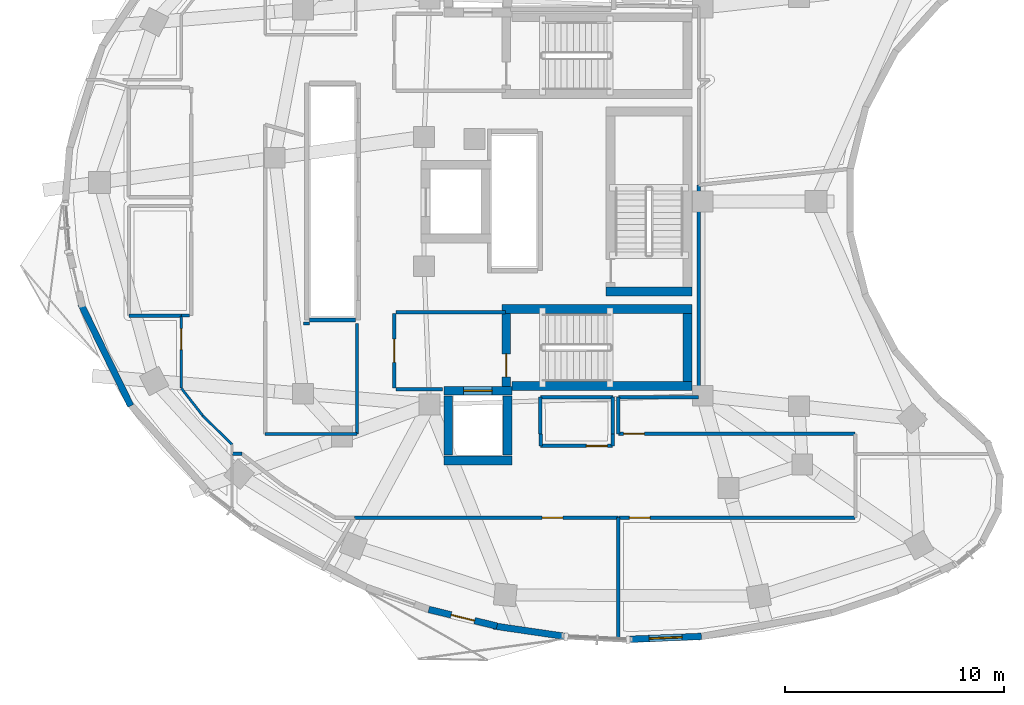
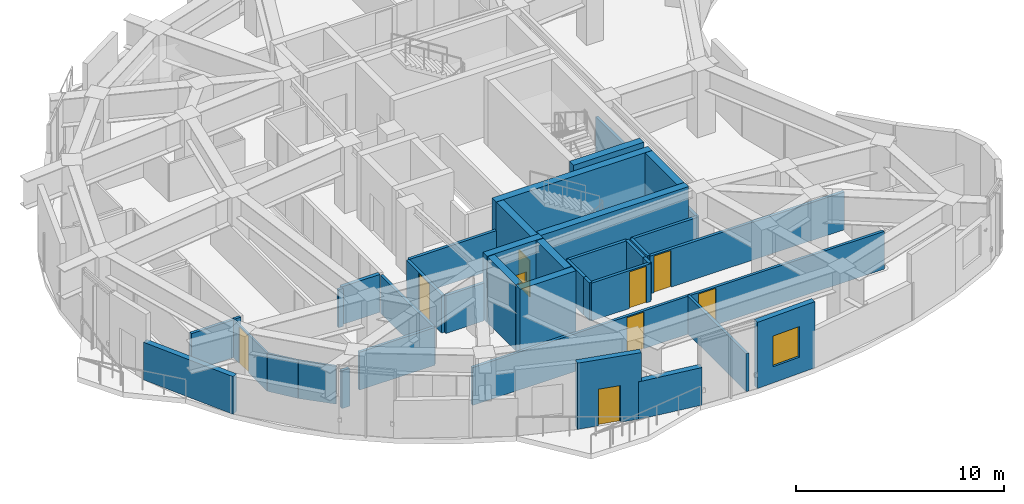
# One storey, part 7 of 13: 39 walls, 9 doors, 1 window, 10 openings.
"""IFC4 building model written with IfcOpenShell, lengths in metres."""

from ifc_helpers import new_model, si_unit, direction, frame, frame_2d, origin, place, context, subcontext, project, spatial, rectangle, extrude, material, layer, layer_set, type_object, element, fill, save


model = new_model("IFC4")

# Units and contexts
model_context = context("Model", 3, precision=1e-05, world=origin(), true_north=direction((0.0, 1.0)))
body_context = subcontext(model_context, "Body", "Model", "MODEL_VIEW")
ifc_project = project(units=[si_unit("LENGTHUNIT", "METRE"), si_unit("AREAUNIT", "SQUARE_METRE"), si_unit("VOLUMEUNIT", "CUBIC_METRE"), si_unit("PLANEANGLEUNIT", "RADIAN"), si_unit("MASSUNIT", "GRAM", prefix="KILO")], contexts=[model_context])

# Site, building, storey
site_placement = place(None, origin())
site = spatial("IfcSite", under=ifc_project, at=site_placement, CompositionType="ELEMENT")
building_placement = place(site_placement, origin())
building = spatial("IfcBuilding", under=site, at=building_placement, Name="Korentha Bioscience Tower", CompositionType="ELEMENT")
storey_placement = place(building_placement, frame((0.0, 0.0, 208.800048828125)))
storey = spatial("IfcBuildingStorey", under=building, at=storey_placement, Name="L48", CompositionType="ELEMENT", Elevation=208.800048828125)

# Wall, opening, door
ifc_material_1 = material(Name="Double-Stud Acoustic Gypsum", Category="gypsum")
ifc_layer_1 = layer(ifc_material_1, 0.14990234375, Name="Double-Stud Acoustic Gypsum")
ifc_layer_set_1 = layer_set([ifc_layer_1], Name="Double-Stud Acoustic Gypsum (IW-L150)")
wall_type_1 = type_object("IfcWallType", Name="Acoustic Laboratory Partition Wall 150", PredefinedType="PARTITIONING", material=ifc_layer_set_1)
wall_1_placement = place(storey_placement, frame((21.678955078125, 12.590087890625, 0.0), z_axis=(0.0, 0.0, 1.0), x_axis=(1.0, 0.0, 0.0)))
wall_1 = element("IfcWall", 1, at=wall_1_placement, inside=storey, type_object=wall_type_1, Name="L48 Biomechanical Motion Analysis Lab 04 Entrance Wall", PredefinedType="PARTITIONING", context=body_context, shape_type="SweptSolid", body=[
    extrude(rectangle(XDim=12.01904296875, YDim=0.14990234375, at=frame_2d((6.009521484375, 0.0))), origin(), (0.0, 0.0, 1.0), 2.219970703125),
])
opening_1_placement = place(wall_1_placement, frame((8.552001953125, 0.0, 0.0)))
opening_1 = element("IfcOpeningElement", 2, at=opening_1_placement, cuts=wall_1, Name="Opening ID-10R", PredefinedType="OPENING", context=body_context, shape_type="SweptSolid", body=[
    extrude(rectangle(XDim=0.949951171875, YDim=2.14990234375, at=frame_2d((0.47509765625, 1.074951171875))), frame((0.0, 0.08984375, 0.0), z_axis=(0.0, -1.0, 0.0), x_axis=(1.0, 0.0, 0.0)), (0.0, 0.0, 1.0), 0.1796875),
])
ifc_material_2 = material(Name="Phenolic Laminate Timber Core", Category="wood")
door_type_1 = type_object("IfcDoorType", Name="Laboratory Single Leaf Door 950x2150 Right", OperationType="SINGLE_SWING_RIGHT", PredefinedType="DOOR", material=ifc_material_2)
door_1_placement = place(opening_1_placement, origin())
door_1 = element("IfcDoor", 3, at=door_1_placement, inside=storey, type_object=door_type_1, Name="L48 Biomechanical Motion Analysis Lab 04 Door", OperationType="SINGLE_SWING_RIGHT", OverallHeight=2.14990234375, OverallWidth=0.949951171875, PredefinedType="DOOR", context=body_context, shape_type="SweptSolid", body=[
    extrude(rectangle(XDim=0.949951171875, YDim=2.14990234375, at=frame_2d((0.47509765625, 1.074951171875))), frame((0.0, 0.02490234375, 0.0), z_axis=(0.0, -1.0, 0.0), x_axis=(1.0, 0.0, 0.0)), (0.0, 0.0, 1.0), 0.050048828125),
])
fill(opening_1, door_1)

wall_2_placement = place(storey_placement, frame((33.7080078125, 12.590087890625, 0.0), z_axis=(0.0, 0.0, 1.0), x_axis=(1.0, 0.0, 0.0)))
wall_2 = element("IfcWall", 4, at=wall_2_placement, inside=storey, type_object=wall_type_1, Name="L48 Peptide Synthesis Wet Lab 05 Entrance Wall", PredefinedType="PARTITIONING", context=body_context, shape_type="SweptSolid", body=[
    extrude(rectangle(XDim=10.7919921875, YDim=0.14990234375, at=frame_2d((5.39599609375, 0.0))), origin(), (0.0, 0.0, 1.0), 2.219970703125),
])
opening_2_placement = place(wall_2_placement, frame((0.49951171875, 0.0, 0.0)))
opening_2 = element("IfcOpeningElement", 5, at=opening_2_placement, cuts=wall_2, Name="Opening ID-10L", PredefinedType="OPENING", context=body_context, shape_type="SweptSolid", body=[
    extrude(rectangle(XDim=0.949951171875, YDim=2.14990234375, at=frame_2d((0.47509765625, 1.074951171875))), frame((0.0, 0.08984375, 0.0), z_axis=(0.0, -1.0, 0.0), x_axis=(1.0, 0.0, 0.0)), (0.0, 0.0, 1.0), 0.1796875),
])
door_type_2 = type_object("IfcDoorType", Name="Laboratory Single Leaf Door 950x2150 Left", OperationType="SINGLE_SWING_LEFT", PredefinedType="DOOR", material=ifc_material_2)
door_2_placement = place(opening_2_placement, origin())
door_2 = element("IfcDoor", 6, at=door_2_placement, inside=storey, type_object=door_type_2, Name="L48 Peptide Synthesis Wet Lab 05 Door", OperationType="SINGLE_SWING_LEFT", OverallHeight=2.14990234375, OverallWidth=0.949951171875, PredefinedType="DOOR", context=body_context, shape_type="SweptSolid", body=[
    extrude(rectangle(XDim=0.949951171875, YDim=2.14990234375, at=frame_2d((0.47509765625, 1.074951171875))), frame((0.0, 0.02490234375, 0.0), z_axis=(0.0, -1.0, 0.0), x_axis=(1.0, 0.0, 0.0)), (0.0, 0.0, 1.0), 0.050048828125),
])
fill(opening_2, door_2)

# Walls
wall_3_placement = place(storey_placement, frame((14.162109375, 21.81005859375, 0.0), z_axis=(0.0, 0.0, 1.0), x_axis=(-1.0, 0.0, 0.0)))
element("IfcWall", 7, at=wall_3_placement, inside=storey, type_object=wall_type_1, Name="L48 Interior Partition 021", PredefinedType="PARTITIONING", context=body_context, shape_type="SweptSolid", body=[
    extrude(rectangle(XDim=0.362060546875, YDim=0.14990234375, at=frame_2d((0.18115234375, 0.0))), origin(), (0.0, 0.0, 1.0), 2.219970703125),
])
wall_4_placement = place(storey_placement, frame((13.7900390625, 21.800048828125, 0.0), z_axis=(0.0, 0.0, 1.0), x_axis=(-1.0, 0.0, 0.0)))
element("IfcWall", 8, at=wall_4_placement, inside=storey, type_object=wall_type_1, Name="L48 Interior Partition 022", PredefinedType="PARTITIONING", context=body_context, shape_type="SweptSolid", body=[
    extrude(rectangle(XDim=2.39013671875, YDim=0.14990234375, at=frame_2d((1.195068359375, 0.0))), origin(), (0.0, 0.0, 1.0), 2.219970703125),
])
wall_5_placement = place(storey_placement, frame((19.35009765625, 21.43994140625, 0.0), z_axis=(0.0, 0.0, 1.0), x_axis=(1.0, 0.0, 0.0)))
element("IfcWall", 9, at=wall_5_placement, inside=storey, type_object=wall_type_1, Name="L48 Interior Partition 036", PredefinedType="PARTITIONING", context=body_context, shape_type="SweptSolid", body=[
    extrude(rectangle(XDim=0.27001953125, YDim=0.14990234375, at=frame_2d((0.135009765625, 0.0))), origin(), (0.0, 0.0, 1.0), 2.219970703125),
])
wall_6_placement = place(storey_placement, frame((21.7900390625, 21.43994140625, 0.0), z_axis=(0.0, 0.0, 1.0), x_axis=(0.0, -1.0, 0.0)))
element("IfcWall", 10, at=wall_6_placement, inside=storey, type_object=wall_type_1, Name="L48 Interior Partition 037", PredefinedType="PARTITIONING", context=body_context, shape_type="SweptSolid", body=[
    extrude(rectangle(XDim=5.030029296875, YDim=0.14990234375, at=frame_2d((2.51513671875, 0.0))), origin(), (0.0, 0.0, 1.0), 2.219970703125),
])
wall_7_placement = place(storey_placement, frame((21.7900390625, 16.409912109375, 0.0), z_axis=(0.0, 0.0, 1.0), x_axis=(-1.0, 0.0, 0.0)))
element("IfcWall", 11, at=wall_7_placement, inside=storey, type_object=wall_type_1, Name="L48 Interior Partition 038", PredefinedType="PARTITIONING", context=body_context, shape_type="SweptSolid", body=[
    extrude(rectangle(XDim=4.179931640625, YDim=0.14990234375, at=frame_2d((2.08984375, 0.0))), origin(), (0.0, 0.0, 1.0), 2.219970703125),
])
wall_8_placement = place(storey_placement, frame((33.697998046875, 12.590087890625, 0.0), z_axis=(0.0, 0.0, 1.0), x_axis=(0.0, -1.0, 0.0)))
element("IfcWall", 12, at=wall_8_placement, inside=storey, type_object=wall_type_1, Name="L48 Interior Partition 044", PredefinedType="PARTITIONING", context=body_context, shape_type="SweptSolid", body=[
    extrude(rectangle(XDim=5.64501953125, YDim=0.14990234375, at=frame_2d((2.822509765625, 0.0))), origin(), (0.0, 0.0, 1.0), 2.219970703125),
])

# Wall, opening, door
ifc_material_3 = material(Name="Fire-Rated Framed Glass", Category="glass")
ifc_layer_2 = layer(ifc_material_3, 0.110107421875, Name="Fire-Rated Framed Glass")
ifc_layer_set_2 = layer_set([ifc_layer_2], Name="Fire-Rated Framed Glass (IW-G110)")
wall_type_2 = type_object("IfcWallType", Name="Demountable Glazed Office Partition 110", PredefinedType="MOVABLE", material=ifc_layer_set_2)
wall_9_placement = place(storey_placement, frame((13.7900390625, 21.7900390625, 0.0), z_axis=(0.0, 0.0, 1.0), x_axis=(0.0, -1.0, 0.0)))
wall_9 = element("IfcWall", 13, at=wall_9_placement, inside=storey, type_object=wall_type_2, Name="L48 Research Colloquium Seminar Room 01 Entrance Wall", PredefinedType="MOVABLE", context=body_context, shape_type="SweptSolid", body=[
    extrude(rectangle(XDim=3.2978515625, YDim=0.110107421875, at=frame_2d((1.64892578125, 0.0))), origin(), (0.0, 0.0, 1.0), 2.219970703125),
])
opening_3_placement = place(wall_9_placement, frame((0.583984375, 0.0, 0.0)))
opening_3 = element("IfcOpeningElement", 14, at=opening_3_placement, cuts=wall_9, Name="Opening ID-10L", PredefinedType="OPENING", context=body_context, shape_type="SweptSolid", body=[
    extrude(rectangle(XDim=0.949951171875, YDim=2.14990234375, at=frame_2d((0.47509765625, 1.074951171875))), frame((0.0, 0.06982421875, 0.0), z_axis=(0.0, -1.0, 0.0), x_axis=(1.0, 0.0, 0.0)), (0.0, 0.0, 1.0), 0.139892578125),
])
door_3_placement = place(opening_3_placement, origin())
door_3 = element("IfcDoor", 15, at=door_3_placement, inside=storey, type_object=door_type_2, Name="L48 Research Colloquium Seminar Room 01 Door", OperationType="SINGLE_SWING_LEFT", OverallHeight=2.14990234375, OverallWidth=0.949951171875, PredefinedType="DOOR", context=body_context, shape_type="SweptSolid", body=[
    extrude(rectangle(XDim=0.949951171875, YDim=2.14990234375, at=frame_2d((0.47509765625, 1.074951171875))), frame((0.0, 0.02490234375, 0.0), z_axis=(0.0, -1.0, 0.0), x_axis=(1.0, 0.0, 0.0)), (0.0, 0.0, 1.0), 0.050048828125),
])
fill(opening_3, door_3)

# Walls
wall_10_placement = place(storey_placement, frame((13.7919921875, 18.486083984375, 0.0), z_axis=(0.0, 0.0, 1.0), x_axis=(0.615625972761, -0.788038489962, 0.0)))
element("IfcWall", 16, at=wall_10_placement, inside=storey, type_object=wall_type_2, Name="L48 Interior Partition 032", PredefinedType="MOVABLE", context=body_context, shape_type="SweptSolid", body=[
    extrude(rectangle(XDim=1.5732421875, YDim=0.110107421875, at=frame_2d((0.78662109375, 0.0))), origin(), (0.0, 0.0, 1.0), 2.219970703125),
])
wall_11_placement = place(storey_placement, frame((14.76123046875, 17.245361328125, 0.0), z_axis=(0.0, 0.0, 1.0), x_axis=(0.711186701462, -0.703003183253, 0.0)))
element("IfcWall", 17, at=wall_11_placement, inside=storey, type_object=wall_type_2, Name="L48 Interior Partition 033", PredefinedType="MOVABLE", context=body_context, shape_type="SweptSolid", body=[
    extrude(rectangle(XDim=1.87939453125, YDim=0.110107421875, at=frame_2d((0.939697265625, 0.0))), origin(), (0.0, 0.0, 1.0), 2.219970703125),
])

# Wall, opening, door
ifc_material_4 = material(Name="Gypsum-Clad Steel Stud", Category="steel")
ifc_layer_3 = layer(ifc_material_4, 0.159912109375, Name="Gypsum-Clad Steel Stud")
ifc_layer_set_3 = layer_set([ifc_layer_3], Name="Gypsum-Clad Steel Stud (IW-C160)")
wall_type_3 = type_object("IfcWallType", Name="Fire-Rated Corridor Partition Wall 160", PredefinedType="PARTITIONING", material=ifc_layer_set_3)
wall_12_placement = place(storey_placement, frame((23.5, 18.5, 0.0), z_axis=(0.0, 0.0, 1.0), x_axis=(0.0, 1.0, 0.0)))
wall_12 = element("IfcWall", 18, at=wall_12_placement, inside=storey, type_object=wall_type_3, Name="L48 FFLS-CW Rated Enclosure Wall", PredefinedType="PARTITIONING", context=body_context, shape_type="SweptSolid", body=[
    extrude(rectangle(XDim=3.39990234375, YDim=0.159912109375, at=frame_2d((1.699951171875, 0.0))), origin(), (0.0, 0.0, 1.0), 2.219970703125),
])
opening_4_placement = place(wall_12_placement, frame((1.175048828125, 0.0, 0.0)))
opening_4 = element("IfcOpeningElement", 19, at=opening_4_placement, cuts=wall_12, Name="Opening FD-90L", PredefinedType="OPENING", context=body_context, shape_type="SweptSolid", body=[
    extrude(rectangle(XDim=1.050048828125, YDim=2.14990234375, at=frame_2d((0.52490234375, 1.074951171875))), frame((0.0, 0.0947265625, 0.0), z_axis=(0.0, -1.0, 0.0), x_axis=(1.0, 0.0, 0.0)), (0.0, 0.0, 1.0), 0.189697265625),
])
ifc_material_5 = material(Name="Powder-Coated Fire-Rated Steel", Category="steel")
door_type_3 = type_object("IfcDoorType", Name="Stairwell Fire Exit Door 1050x2150 Left", OperationType="SINGLE_SWING_LEFT", PredefinedType="DOOR", material=ifc_material_5)
door_4_placement = place(opening_4_placement, origin())
door_4 = element("IfcDoor", 20, at=door_4_placement, inside=storey, type_object=door_type_3, Name="L48 South Firefighting Lobby Door", OperationType="SINGLE_SWING_LEFT", OverallHeight=2.14990234375, OverallWidth=1.050048828125, PredefinedType="DOOR", context=body_context, shape_type="SweptSolid", body=[
    extrude(rectangle(XDim=1.050048828125, YDim=2.14990234375, at=frame_2d((0.52490234375, 1.074951171875))), frame((0.0, 0.02490234375, 0.0), z_axis=(0.0, -1.0, 0.0), x_axis=(1.0, 0.0, 0.0)), (0.0, 0.0, 1.0), 0.050048828125),
])
fill(opening_4, door_4)

# Walls
wall_13_placement = place(storey_placement, frame((23.580078125, 21.949951171875, 0.0), z_axis=(0.0, 0.0, 1.0), x_axis=(1.0, 0.0, 0.0)))
element("IfcWall", 21, at=wall_13_placement, inside=storey, type_object=wall_type_3, Name="L48 Firefighting Lobby Return Wall FFLS-N", PredefinedType="PARTITIONING", context=body_context, shape_type="SweptSolid", body=[
    extrude(rectangle(XDim=4.969970703125, YDim=0.159912109375, at=frame_2d((2.48486328125, 0.0))), origin(), (0.0, 0.0, 1.0), 2.219970703125),
])
wall_14_placement = place(storey_placement, frame((23.580078125, 18.449951171875, 0.0), z_axis=(0.0, 0.0, 1.0), x_axis=(1.0, 0.0, 0.0)))
element("IfcWall", 22, at=wall_14_placement, inside=storey, type_object=wall_type_3, Name="L48 Firefighting Lobby Return Wall FFLS-S", PredefinedType="PARTITIONING", context=body_context, shape_type="SweptSolid", body=[
    extrude(rectangle(XDim=2.119873046875, YDim=0.159912109375, at=frame_2d((1.06005859375, 0.0))), origin(), (0.0, 0.0, 1.0), 2.219970703125),
])

# Wall, opening, door
wall_15_placement = place(storey_placement, frame((33.43994140625, 15.860107421875, 0.0), z_axis=(0.0, 0.0, 1.0), x_axis=(-1.0, 0.0, 0.0)))
wall_15 = element("IfcWall", 23, at=wall_15_placement, inside=storey, type_object=wall_type_3, Name="L48 Core Instrumentation and Gas Store Entrance Wall", PredefinedType="PARTITIONING", context=body_context, shape_type="SweptSolid", body=[
    extrude(rectangle(XDim=3.280029296875, YDim=0.159912109375, at=frame_2d((1.64013671875, 0.0))), origin(), (0.0, 0.0, 1.0), 2.219970703125),
])
opening_5_placement = place(wall_15_placement, frame((0.239990234375, 0.0, 0.0)))
opening_5 = element("IfcOpeningElement", 24, at=opening_5_placement, cuts=wall_15, Name="Opening ID-10L", PredefinedType="OPENING", context=body_context, shape_type="SweptSolid", body=[
    extrude(rectangle(XDim=0.949951171875, YDim=2.14990234375, at=frame_2d((0.47509765625, 1.074951171875))), frame((0.0, 0.0947265625, 0.0), z_axis=(0.0, -1.0, 0.0), x_axis=(1.0, 0.0, 0.0)), (0.0, 0.0, 1.0), 0.189697265625),
])
door_5_placement = place(opening_5_placement, origin())
door_5 = element("IfcDoor", 25, at=door_5_placement, inside=storey, type_object=door_type_2, Name="L48 Core Instrumentation and Gas Store Door", OperationType="SINGLE_SWING_LEFT", OverallHeight=2.14990234375, OverallWidth=0.949951171875, PredefinedType="DOOR", context=body_context, shape_type="SweptSolid", body=[
    extrude(rectangle(XDim=0.949951171875, YDim=2.14990234375, at=frame_2d((0.47509765625, 1.074951171875))), frame((0.0, 0.02490234375, 0.0), z_axis=(0.0, -1.0, 0.0), x_axis=(1.0, 0.0, 0.0)), (0.0, 0.0, 1.0), 0.050048828125),
])
fill(opening_5, door_5)

wall_16_placement = place(storey_placement, frame((44.5, 16.409912109375, 0.0), z_axis=(0.0, 0.0, 1.0), x_axis=(-1.0, 0.0, 0.0)))
wall_16 = element("IfcWall", 26, at=wall_16_placement, inside=storey, type_object=wall_type_3, Name="L48 Ultrapure Water Polisher Plant Alcove 06 Entrance Wall", PredefinedType="PARTITIONING", context=body_context, shape_type="SweptSolid", body=[
    extrude(rectangle(XDim=10.798095703125, YDim=0.159912109375, at=frame_2d((5.39892578125, 0.0))), origin(), (0.0, 0.0, 1.0), 2.219970703125),
])
opening_6_placement = place(wall_16_placement, frame((9.60791015625, 0.0, 0.0)))
opening_6 = element("IfcOpeningElement", 27, at=opening_6_placement, cuts=wall_16, Name="Opening FD-120D", PredefinedType="OPENING", context=body_context, shape_type="SweptSolid", body=[
    extrude(rectangle(XDim=0.949951171875, YDim=2.14990234375, at=frame_2d((0.47509765625, 1.074951171875))), frame((0.0, 0.0947265625, 0.0), z_axis=(0.0, -1.0, 0.0), x_axis=(1.0, 0.0, 0.0)), (0.0, 0.0, 1.0), 0.189697265625),
])
ifc_material_6 = material(Name="Heavy-Duty Insulated Steel", Category="steel")
door_type_4 = type_object("IfcDoorType", Name="Plant & Riser Fire Door 950x2150 Left", OperationType="SINGLE_SWING_LEFT", PredefinedType="DOOR", material=ifc_material_6)
door_6_placement = place(opening_6_placement, origin())
door_6 = element("IfcDoor", 28, at=door_6_placement, inside=storey, type_object=door_type_4, Name="L48 Ultrapure Water Polisher Plant Alcove 06 Door", OperationType="SINGLE_SWING_LEFT", OverallHeight=2.14990234375, OverallWidth=0.949951171875, PredefinedType="DOOR", context=body_context, shape_type="SweptSolid", body=[
    extrude(rectangle(XDim=0.949951171875, YDim=2.14990234375, at=frame_2d((0.47509765625, 1.074951171875))), frame((0.0, 0.02490234375, 0.0), z_axis=(0.0, -1.0, 0.0), x_axis=(1.0, 0.0, 0.0)), (0.0, 0.0, 1.0), 0.050048828125),
])
fill(opening_6, door_6)

# Walls
for number, where, z_axis, x_axis, name in (
    (29, (33.43994140625, 16.39990234375, 0.0), (0.0, 0.0, 1.0), (0.0, -1.0, 0.0), "L48 Interior Partition 014"),
    (30, (30.159912109375, 15.860107421875, 0.0), (0.0, 0.0, 1.0), (0.0, 1.0, 0.0), "L48 Interior Partition 015"),
):
    element("IfcWall", number, at=place(storey_placement, frame(where, z_axis=z_axis, x_axis=x_axis)), inside=storey, type_object=wall_type_3, Name=name, PredefinedType="PARTITIONING", context=body_context, shape_type="SweptSolid", body=[
        extrude(rectangle(XDim=0.539794921875, YDim=0.159912109375, at=frame_2d((0.27001953125, 0.0))), origin(), (0.0, 0.0, 1.0), 2.219970703125),
    ])
wall_17_placement = place(storey_placement, frame((30.14990234375, 16.409912109375, 0.0), z_axis=(0.0, 0.0, 1.0), x_axis=(0.0, 1.0, 0.0)))
element("IfcWall", 31, at=wall_17_placement, inside=storey, type_object=wall_type_3, Name="L48 Interior Partition 016", PredefinedType="PARTITIONING", context=body_context, shape_type="SweptSolid", body=[
    extrude(rectangle(XDim=1.68017578125, YDim=0.159912109375, at=frame_2d((0.840087890625, 0.0))), origin(), (0.0, 0.0, 1.0), 2.219970703125),
])
wall_18_placement = place(storey_placement, frame((30.14990234375, 18.090087890625, 0.0), z_axis=(0.0, 0.0, 1.0), x_axis=(1.0, 0.0, 0.0)))
element("IfcWall", 32, at=wall_18_placement, inside=storey, type_object=wall_type_3, Name="L48 Interior Partition 017", PredefinedType="PARTITIONING", context=body_context, shape_type="SweptSolid", body=[
    extrude(rectangle(XDim=3.300048828125, YDim=0.159912109375, at=frame_2d((1.64990234375, 0.0))), origin(), (0.0, 0.0, 1.0), 2.219970703125),
])
wall_19_placement = place(storey_placement, frame((33.449951171875, 18.090087890625, 0.0), z_axis=(0.0, 0.0, 1.0), x_axis=(0.0, -1.0, 0.0)))
element("IfcWall", 33, at=wall_19_placement, inside=storey, type_object=wall_type_3, Name="L48 Interior Partition 018", PredefinedType="PARTITIONING", context=body_context, shape_type="SweptSolid", body=[
    extrude(rectangle(XDim=1.68017578125, YDim=0.159912109375, at=frame_2d((0.840087890625, 0.0))), origin(), (0.0, 0.0, 1.0), 2.219970703125),
])
wall_20_placement = place(storey_placement, frame((16.10791015625, 15.498046875, 0.0), z_axis=(0.0, 0.0, 1.0), x_axis=(1.0, 0.0, 0.0)))
element("IfcWall", 34, at=wall_20_placement, inside=storey, type_object=wall_type_3, Name="L48 Interior Partition 040", PredefinedType="PARTITIONING", context=body_context, shape_type="SweptSolid", body=[
    extrude(rectangle(XDim=0.43603515625, YDim=0.159912109375, at=frame_2d((0.218017578125, 0.0))), origin(), (0.0, 0.0, 1.0), 2.219970703125),
])
wall_21_placement = place(storey_placement, frame((33.701904296875, 18.090087890625, 0.0), z_axis=(0.0, 0.0, 1.0), x_axis=(1.0, 0.0, 0.0)))
element("IfcWall", 35, at=wall_21_placement, inside=storey, type_object=wall_type_3, Name="L48 Interior Partition 048", PredefinedType="PARTITIONING", context=body_context, shape_type="SweptSolid", body=[
    extrude(rectangle(XDim=3.648193359375, YDim=0.159912109375, at=frame_2d((1.82421875, 0.0))), origin(), (0.0, 0.0, 1.0), 2.219970703125),
])
wall_22_placement = place(storey_placement, frame((37.360107421875, 18.10009765625, 0.0), z_axis=(0.0, 0.0, 1.0), x_axis=(0.0, 1.0, 0.0)))
element("IfcWall", 36, at=wall_22_placement, inside=storey, type_object=wall_type_3, Name="L48 Interior Partition 049", PredefinedType="PARTITIONING", context=body_context, shape_type="SweptSolid", body=[
    extrude(rectangle(XDim=9.656494140625, YDim=0.159912109375, at=frame_2d((4.828125, 0.0))), origin(), (0.0, 0.0, 1.0), 2.219970703125),
])
wall_23_placement = place(storey_placement, frame((33.701904296875, 16.409912109375, 0.0), z_axis=(0.0, 0.0, 1.0), x_axis=(0.0, 1.0, 0.0)))
element("IfcWall", 37, at=wall_23_placement, inside=storey, type_object=wall_type_3, Name="L48 Interior Partition 052", PredefinedType="PARTITIONING", context=body_context, shape_type="SweptSolid", body=[
    extrude(rectangle(XDim=1.68017578125, YDim=0.159912109375, at=frame_2d((0.840087890625, 0.0))), origin(), (0.0, 0.0, 1.0), 2.219970703125),
])

# Wall, opening, door
ifc_material_7 = material(Name="Honed Limestone Precast Concrete C40", Category="masonry")
ifc_layer_4 = layer(ifc_material_7, 0.300048828125, Name="Honed Limestone Precast Concrete C40")
ifc_layer_set_4 = layer_set([ifc_layer_4], Name="Honed Limestone Precast Concrete C40 (EW-ST300)")
wall_type_4 = type_object("IfcWallType", Name="Honed Limestone Cavity Spandrel Wall 300", PredefinedType="STANDARD", material=ifc_layer_set_4)
wall_24_placement = place(storey_placement, frame((25.063232421875, 8.412109375, 0.0), z_axis=(0.0, 0.0, 1.0), x_axis=(0.971262421812, -0.238011150948, 0.0)))
wall_24 = element("IfcWall", 38, at=wall_24_placement, inside=storey, type_object=wall_type_4, Name="L48 Balcony Threshold Wall 03", PredefinedType="STANDARD", context=body_context, shape_type="SweptSolid", body=[
    extrude(rectangle(XDim=3.201416015625, YDim=0.300048828125, at=frame_2d((1.6005859375, 0.0))), origin(), (0.0, 0.0, 1.0), 3.8798828125),
])
opening_7_placement = place(wall_24_placement, frame((1.05078125, 0.0, 0.0)))
opening_7 = element("IfcOpeningElement", 39, at=opening_7_placement, cuts=wall_24, Name="Opening BD-11L", PredefinedType="OPENING", context=body_context, shape_type="SweptSolid", body=[
    extrude(rectangle(XDim=1.10009765625, YDim=2.14990234375, at=frame_2d((0.550048828125, 1.074951171875))), frame((0.0, 0.1650390625, 0.0), z_axis=(0.0, -1.0, 0.0), x_axis=(1.0, 0.0, 0.0)), (0.0, 0.0, 1.0), 0.329833984375),
])
ifc_material_8 = material(Name="Thermally Broken Glazed Aluminium", Category="aluminium")
door_type_5 = type_object("IfcDoorType", Name="Balcony Terrace Glazed Door 1100x2150 Left", OperationType="SINGLE_SWING_LEFT", PredefinedType="DOOR", material=ifc_material_8)
door_7_placement = place(opening_7_placement, origin())
door_7 = element("IfcDoor", 40, at=door_7_placement, inside=storey, type_object=door_type_5, Name="L48 Balcony Access Door 03", OperationType="SINGLE_SWING_LEFT", OverallHeight=2.14990234375, OverallWidth=1.10009765625, PredefinedType="DOOR", context=body_context, shape_type="SweptSolid", body=[
    extrude(rectangle(XDim=1.10009765625, YDim=2.14990234375, at=frame_2d((0.550048828125, 1.074951171875))), frame((0.0, 0.02490234375, 0.0), z_axis=(0.0, -1.0, 0.0), x_axis=(1.0, 0.0, 0.0)), (0.0, 0.0, 1.0), 0.050048828125),
])
fill(opening_7, door_7)

# Wall, opening, window
wall_25_placement = place(storey_placement, frame((34.229248046875, 7.05078125, 0.0), z_axis=(0.0, 0.0, 1.0), x_axis=(0.999187621273, 0.040300092979, 0.0)))
wall_25 = element("IfcWall", 41, at=wall_25_placement, inside=storey, type_object=wall_type_4, Name="L48 Honed Limestone Spandrel Wall 32", PredefinedType="STANDARD", context=body_context, shape_type="SweptSolid", body=[
    extrude(rectangle(XDim=3.25927734375, YDim=0.300048828125, at=frame_2d((1.629638671875, 0.0))), origin(), (0.0, 0.0, 1.0), 3.8798828125),
])
opening_8_placement = place(wall_25_placement, frame((0.879638671875, 0.0, 0.949951171875)))
opening_8 = element("IfcOpeningElement", 42, at=opening_8_placement, cuts=wall_25, Name="Opening WN-02", PredefinedType="OPENING", context=body_context, shape_type="SweptSolid", body=[
    extrude(rectangle(XDim=1.5, YDim=1.800048828125, at=frame_2d((0.75, 0.89990234375))), frame((0.0, 0.1650390625, 0.0), z_axis=(0.0, -1.0, 0.0), x_axis=(1.0, 0.0, 0.0)), (0.0, 0.0, 1.0), 0.329833984375),
])
ifc_material_9 = material(Name="Thermally Broken Aluminium Triple Glazing", Category="aluminium")
window_type = type_object("IfcWindowType", Name="Acoustic Operable Office Window 1500x1800", PartitioningType="DOUBLE_PANEL_VERTICAL", PredefinedType="WINDOW", material=ifc_material_9)
window_placement = place(opening_8_placement, origin())
window = element("IfcWindow", 43, at=window_placement, inside=storey, type_object=window_type, Name="L48 Facade Window 32", OverallHeight=1.800048828125, OverallWidth=1.5, PartitioningType="DOUBLE_PANEL_VERTICAL", PredefinedType="WINDOW", context=body_context, shape_type="SweptSolid", body=[
    extrude(rectangle(XDim=1.5, YDim=1.800048828125, at=frame_2d((0.75, 0.89990234375))), frame((0.0, 0.030029296875, 0.0), z_axis=(0.0, -1.0, 0.0), x_axis=(1.0, 0.0, 0.0)), (0.0, 0.0, 1.0), 0.06005859375),
])
fill(opening_8, window)

# Walls
wall_26_placement = place(storey_placement, frame((9.201416015625, 22.3447265625, 0.0), z_axis=(0.0, 0.0, 1.0), x_axis=(0.440271072247, -0.897864902389, 0.0)))
element("IfcWall", 44, at=wall_26_placement, inside=storey, type_object=wall_type_4, Name="L48 Limestone Perimeter Closure Wall 21", PredefinedType="STANDARD", context=body_context, shape_type="SweptSolid", body=[
    extrude(rectangle(XDim=5.1865234375, YDim=0.300048828125, at=frame_2d((2.59326171875, 0.0))), origin(), (0.0, 0.0, 1.0), 2.204833984375),
])
wall_27_placement = place(storey_placement, frame((28.017333984375, 7.6591796875, 0.0), z_axis=(0.0, 0.0, 1.0), x_axis=(0.989444403328, -0.144912983283, 0.0)))
element("IfcWall", 45, at=wall_27_placement, inside=storey, type_object=wall_type_4, Name="L48 Limestone Perimeter Closure Wall 30", PredefinedType="STANDARD", context=body_context, shape_type="SweptSolid", body=[
    extrude(rectangle(XDim=3.278564453125, YDim=0.300048828125, at=frame_2d((1.63916015625, 0.0))), origin(), (0.0, 0.0, 1.0), 2.204833984375),
])
ifc_material_10 = material(Name="Autoclaved Aerated Concrete Block C25", Category="concrete")
ifc_layer_5 = layer(ifc_material_10, 0.199951171875, Name="Autoclaved Aerated Concrete Block C25")
ifc_layer_set_5 = layer_set([ifc_layer_5], Name="Autoclaved Aerated Concrete Block C25 (IW-S200)")
wall_type_5 = type_object("IfcWallType", Name="Lift and Riser Shaft Enclosure Wall 200", PredefinedType="PARTITIONING", material=ifc_layer_set_5)
wall_28_placement = place(storey_placement, frame((19.6201171875, 21.60009765625, 0.0), z_axis=(0.0, 0.0, 1.0), x_axis=(1.0, 0.0, 0.0)))
element("IfcWall", 46, at=wall_28_placement, inside=storey, type_object=wall_type_5, Name="L48 Lift Bank MID Shaft Wall -Y", PredefinedType="PARTITIONING", context=body_context, shape_type="SweptSolid", body=[
    extrude(rectangle(XDim=2.10986328125, YDim=0.199951171875, at=frame_2d((1.054931640625, 0.0))), origin(), (0.0, 0.0, 1.0), 2.219970703125),
])
ifc_material_11 = material(Name="Concrete C65", Category="concrete")
ifc_layer_6 = layer(ifc_material_11, 0.39990234375, Name="Concrete C65")
ifc_layer_set_6 = layer_set([ifc_layer_6], Name="Concrete C65 (CW-C65)")
wall_type_6 = type_object("IfcWallType", Name="Mid-Rise Core Shear Wall 400", PredefinedType="SHEAR", material=ifc_layer_set_6)
wall_29_placement = place(storey_placement, frame((28.85205078125, 18.60009765625, 0.0), z_axis=(0.0, 0.0, 1.0), x_axis=(1.0, 0.0, 0.0)))
element("IfcWall", 47, at=wall_29_placement, inside=storey, type_object=wall_type_6, Name="L48 Core Shear Wall ST2-S", PredefinedType="SHEAR", context=body_context, shape_type="SweptSolid", body=[
    extrude(rectangle(XDim=8.197998046875, YDim=0.39990234375, at=frame_2d((4.09912109375, 0.0))), origin(), (0.0, 0.0, 1.0), 3.8798828125),
])
wall_30_placement = place(storey_placement, frame((28.39990234375, 22.10009765625, 0.0), z_axis=(0.0, 0.0, 1.0), x_axis=(1.0, 0.0, 0.0)))
element("IfcWall", 48, at=wall_30_placement, inside=storey, type_object=wall_type_6, Name="L48 Core Shear Wall ST2-N", PredefinedType="SHEAR", context=body_context, shape_type="SweptSolid", body=[
    extrude(rectangle(XDim=8.650146484375, YDim=0.39990234375, at=frame_2d((4.3251953125, 0.0))), origin(), (0.0, 0.0, 1.0), 3.8798828125),
])
wall_31_placement = place(storey_placement, frame((36.85009765625, 18.81005859375, 0.0), z_axis=(0.0, 0.0, 1.0), x_axis=(0.0, 1.0, 0.0)))
element("IfcWall", 49, at=wall_31_placement, inside=storey, type_object=wall_type_6, Name="L48 Core Shear Wall ST2-E", PredefinedType="SHEAR", context=body_context, shape_type="SweptSolid", body=[
    extrude(rectangle(XDim=3.079833984375, YDim=0.39990234375, at=frame_2d((1.5400390625, 0.0))), origin(), (0.0, 0.0, 1.0), 3.8798828125),
])

# Wall, opening, door
wall_32_placement = place(storey_placement, frame((28.60009765625, 18.58203125, 0.0), z_axis=(0.0, 0.0, 1.0), x_axis=(0.0, 1.0, 0.0)))
wall_32 = element("IfcWall", 50, at=wall_32_placement, inside=storey, type_object=wall_type_6, Name="L48 Core Shear Wall ST2-W", PredefinedType="SHEAR", context=body_context, shape_type="SweptSolid", body=[
    extrude(rectangle(XDim=3.307861328125, YDim=0.39990234375, at=frame_2d((1.65380859375, 0.0))), origin(), (0.0, 0.0, 1.0), 3.8798828125),
])
opening_9_placement = place(wall_32_placement, frame((0.427978515625, 0.0, 0.0)))
opening_9 = element("IfcOpeningElement", 51, at=opening_9_placement, cuts=wall_32, Name="Opening FD-90L", PredefinedType="OPENING", context=body_context, shape_type="SweptSolid", body=[
    extrude(rectangle(XDim=1.050048828125, YDim=2.14990234375, at=frame_2d((0.52490234375, 1.074951171875))), frame((0.0, 0.21484375, 0.0), z_axis=(0.0, -1.0, 0.0), x_axis=(1.0, 0.0, 0.0)), (0.0, 0.0, 1.0), 0.4296875),
])
door_8_placement = place(opening_9_placement, origin())
door_8 = element("IfcDoor", 52, at=door_8_placement, inside=storey, type_object=door_type_3, Name="L48 ST-2 Fire Exit Stair Door", OperationType="SINGLE_SWING_LEFT", OverallHeight=2.14990234375, OverallWidth=1.050048828125, PredefinedType="DOOR", context=body_context, shape_type="SweptSolid", body=[
    extrude(rectangle(XDim=1.050048828125, YDim=2.14990234375, at=frame_2d((0.52490234375, 1.074951171875))), frame((0.0, 0.02490234375, 0.0), z_axis=(0.0, -1.0, 0.0), x_axis=(1.0, 0.0, 0.0)), (0.0, 0.0, 1.0), 0.050048828125),
])
fill(opening_9, door_8)

# Walls
wall_33_placement = place(storey_placement, frame((33.14990234375, 22.89990234375, 0.0), z_axis=(0.0, 0.0, 1.0), x_axis=(1.0, 0.0, 0.0)))
element("IfcWall", 53, at=wall_33_placement, inside=storey, type_object=wall_type_6, Name="L48 Core Shear Wall ST3-S", PredefinedType="SHEAR", context=body_context, shape_type="SweptSolid", body=[
    extrude(rectangle(XDim=3.900146484375, YDim=0.39990234375, at=frame_2d((1.9501953125, 0.0))), origin(), (0.0, 0.0, 1.0), 3.8798828125),
])
wall_34_placement = place(storey_placement, frame((25.75, 15.199951171875, 0.0), z_axis=(0.0, 0.0, 1.0), x_axis=(1.0, 0.0, 0.0)))
element("IfcWall", 54, at=wall_34_placement, inside=storey, type_object=wall_type_6, Name="L48 Core Shear Wall FFL1-S", PredefinedType="SHEAR", context=body_context, shape_type="SweptSolid", body=[
    extrude(rectangle(XDim=3.10009765625, YDim=0.39990234375, at=frame_2d((1.550048828125, 0.0))), origin(), (0.0, 0.0, 1.0), 3.8798828125),
])

# Wall, opening, door
wall_35_placement = place(storey_placement, frame((25.75, 18.3798828125, 0.0), z_axis=(0.0, 0.0, 1.0), x_axis=(1.0, 0.0, 0.0)))
wall_35 = element("IfcWall", 55, at=wall_35_placement, inside=storey, type_object=wall_type_6, Name="L48 Core Shear Wall FFL1-N", PredefinedType="SHEAR", context=body_context, shape_type="SweptSolid", body=[
    extrude(rectangle(XDim=3.10009765625, YDim=0.39990234375, at=frame_2d((1.550048828125, 0.0))), origin(), (0.0, 0.0, 1.0), 3.8798828125),
])
opening_10_placement = place(wall_35_placement, frame((0.89990234375, 0.0, 0.0)))
opening_10 = element("IfcOpeningElement", 56, at=opening_10_placement, cuts=wall_35, Name="Opening LD-13", PredefinedType="OPENING", context=body_context, shape_type="SweptSolid", body=[
    extrude(rectangle(XDim=1.300048828125, YDim=2.199951171875, at=frame_2d((0.64990234375, 1.10009765625))), frame((0.0, 0.21484375, 0.0), z_axis=(0.0, -1.0, 0.0), x_axis=(1.0, 0.0, 0.0)), (0.0, 0.0, 1.0), 0.4296875),
])
ifc_material_12 = material(Name="Brushed Stainless Steel 316", Category="steel")
door_type_6 = type_object("IfcDoorType", Name="Service & Firefighting Lift Landing Door 1300x2300", OperationType="DOUBLE_DOOR_SLIDING", PredefinedType="DOOR", material=ifc_material_12)
door_9_placement = place(opening_10_placement, origin())
door_9 = element("IfcDoor", 57, at=door_9_placement, inside=storey, type_object=door_type_6, Name="L48 FFL-1 Sliding Lift Landing Door", OperationType="DOUBLE_DOOR_SLIDING", OverallHeight=2.199951171875, OverallWidth=1.300048828125, PredefinedType="DOOR", context=body_context, shape_type="SweptSolid", body=[
    extrude(rectangle(XDim=1.300048828125, YDim=2.199951171875, at=frame_2d((0.64990234375, 1.10009765625))), frame((0.0, 0.02490234375, 0.0), z_axis=(0.0, -1.0, 0.0), x_axis=(1.0, 0.0, 0.0)), (0.0, 0.0, 1.0), 0.050048828125),
])
fill(opening_10, door_9)

# Walls
for number, where, z_axis, x_axis, name in (
    (58, (25.949951171875, 15.43994140625, 0.0), (0.0, 0.0, 1.0), (0.0, 1.0, 0.0), "L48 Core Shear Wall FFL1-W"),
    (59, (28.64990234375, 15.43994140625, 0.0), (0.0, 0.0, 1.0), (0.0, 1.0, 0.0), "L48 Core Shear Wall FFL1-E"),
):
    element("IfcWall", number, at=place(storey_placement, frame(where, z_axis=z_axis, x_axis=x_axis)), inside=storey, type_object=wall_type_6, Name=name, PredefinedType="SHEAR", context=body_context, shape_type="SweptSolid", body=[
        extrude(rectangle(XDim=2.699951171875, YDim=0.39990234375, at=frame_2d((1.35009765625, 0.0))), origin(), (0.0, 0.0, 1.0), 3.8798828125),
    ])

save(model, "model.ifc")
